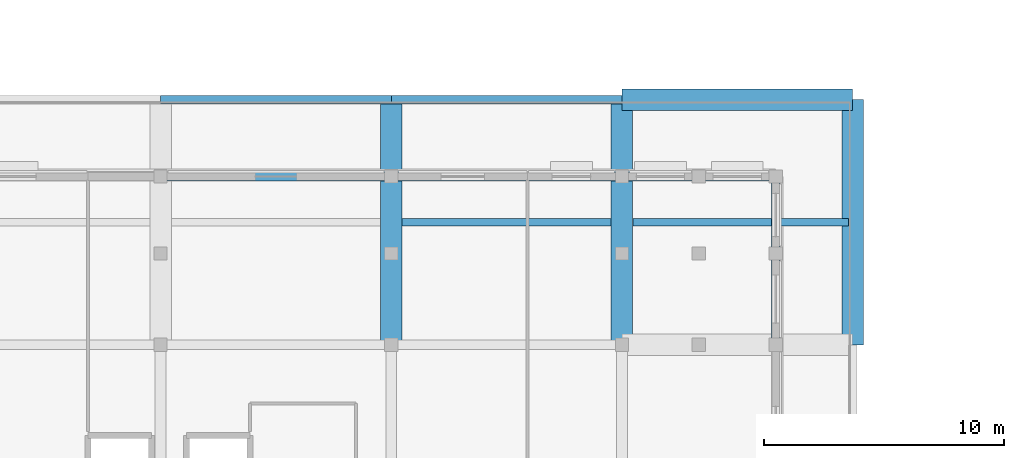
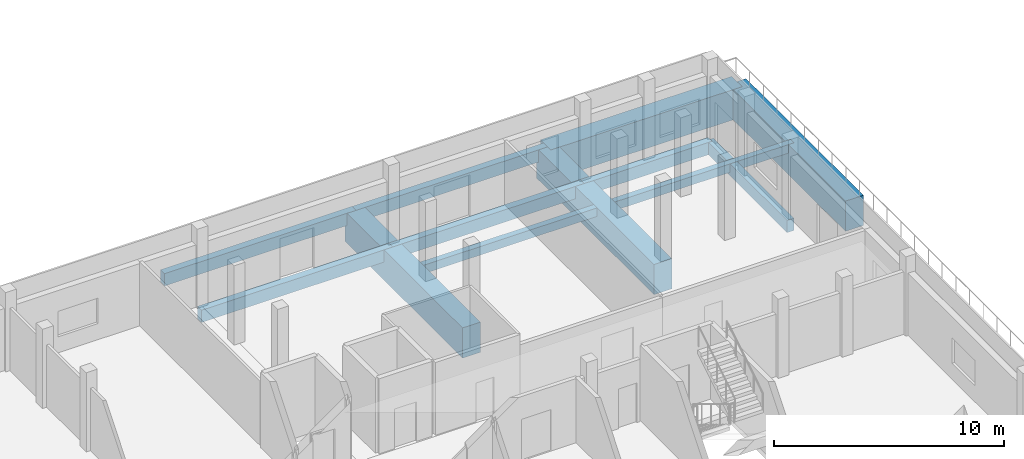
# One storey, part 2 of 70: 12 beams.
"""IFC4 building model written with IfcOpenShell, lengths in metres."""

import ifcopenshell
import ifcopenshell.guid

model = None  # the IFC model being written
_history = None  # IfcOwnerHistory: only IFC2X3 demands one
_inside = {}  # id of a spatial element -> (the spatial element, [elements in it])
_under = {}  # id of a project, library or spatial element -> (it, [spatial elements below it])
_declared = {}  # id of a project -> (the project, [libraries it declares])
_typed = {}  # id of a type object -> (the type object, [elements of that type])
_made_of = {}  # id of a material, layer set ... -> (it, [elements and type objects made of it])


def new_model(schema):
    """Start an empty IFC model of exactly this schema.

    Asked for "IFC4X3", IfcOpenShell would pick the latest addendum, in which some entities
    have other attributes; the version numbers below select the first issue.
    IFC2X3 requires an IfcOwnerHistory on every rooted entity: one is made here for all.
    """
    global model, _history
    if schema == "IFC4X3":
        model = ifcopenshell.file(schema_version=(4, 3, 0, 0))
    else:
        model = ifcopenshell.file(schema=schema)
    _inside.clear()
    _under.clear()
    _declared.clear()
    _typed.clear()
    _made_of.clear()
    _history = None
    if model.schema == "IFC2X3":
        org = make("IfcOrganization", Name="unknown")
        user = make(
            "IfcPersonAndOrganization",
            ThePerson=make("IfcPerson", FamilyName="unknown"),
            TheOrganization=org,
        )
        app = make(
            "IfcApplication",
            ApplicationDeveloper=org,
            Version="unknown",
            ApplicationFullName="unknown",
            ApplicationIdentifier="unknown",
        )
        _history = make(
            "IfcOwnerHistory",
            OwningUser=user,
            OwningApplication=app,
            ChangeAction="ADDED",
            CreationDate=0,
        )
    return model


def make(cls, **values):
    """One entity of the class cls with the attributes given. An attribute that is None is left unset."""
    return model.create_entity(
        cls, **{name: value for name, value in values.items() if value is not None}
    )


def rooted(cls, **values):
    """An entity with a GlobalId (a new one), such as an element, a storey or a relation."""
    return make(cls, GlobalId=ifcopenshell.guid.new(), OwnerHistory=_history, **values)


def si_unit(unit_type, name, prefix=None):
    """IfcSIUnit, for example si_unit("LENGTHUNIT", "METRE", prefix="MILLI")."""
    return make("IfcSIUnit", UnitType=unit_type, Prefix=prefix, Name=name)


def assignment(units):
    """IfcUnitAssignment: the units of a project."""
    return None if units is None else make("IfcUnitAssignment", Units=units)


def point(xyz):
    """IfcCartesianPoint."""
    return None if xyz is None else make("IfcCartesianPoint", Coordinates=xyz)


def direction(xyz):
    """IfcDirection."""
    return None if xyz is None else make("IfcDirection", DirectionRatios=xyz)


def frame(location, z_axis=None, x_axis=None):
    """IfcAxis2Placement3D, a coordinate frame: its origin and axes. An axis left out is left unset."""
    return make(
        "IfcAxis2Placement3D",
        Location=point(location),
        Axis=direction(z_axis),
        RefDirection=direction(x_axis),
    )


def frame_2d(location, x_axis=None):
    """IfcAxis2Placement2D, a coordinate frame in the plane: its origin and x axis."""
    return make(
        "IfcAxis2Placement2D", Location=point(location), RefDirection=direction(x_axis)
    )


def origin():
    """The frame at (0, 0, 0) with its axes left unset."""
    return frame((0.0, 0.0, 0.0))


def origin_2d():
    """The frame at (0, 0) in the plane with its x axis left unset."""
    return frame_2d((0.0, 0.0))


def place(relative_to, where):
    """IfcLocalPlacement: puts the frame where relative to a parent placement (None: the world)."""
    return make(
        "IfcLocalPlacement", PlacementRelTo=relative_to, RelativePlacement=where
    )


def context(
    kind, dimensions, precision=None, world=None, true_north=None, identifier=None
):
    """IfcGeometricRepresentationContext, for example the 3D "Model" context."""
    return make(
        "IfcGeometricRepresentationContext",
        ContextIdentifier=identifier,
        ContextType=kind,
        CoordinateSpaceDimension=dimensions,
        Precision=precision,
        WorldCoordinateSystem=world,
        TrueNorth=true_north,
    )


def subcontext(parent, identifier, kind, view, scale=None):
    """IfcGeometricRepresentationSubContext, for example "Body" below "Model"."""
    return make(
        "IfcGeometricRepresentationSubContext",
        ContextIdentifier=identifier,
        ContextType=kind,
        ParentContext=parent,
        TargetScale=scale,
        TargetView=view,
    )


def project(units=None, contexts=None):
    """IfcProject with its units and contexts."""
    return rooted(
        "IfcProject",
        Name="project",
        RepresentationContexts=contexts,
        UnitsInContext=assignment(units),
    )


def spatial(cls, under=None, at=None, **own):
    """A site, building, storey or space (cls), placed at a placement, below another one or the project."""
    s = rooted(cls, ObjectPlacement=at, **own)
    if under is not None:
        _under.setdefault(under.id(), (under, []))[1].append(s)
    return s


def profile(cls, at=None, kind="AREA", **sizes):
    """A parametric profile (cls). Its sizes go by their IFC names, for example OverallWidth=200.0."""
    return make(cls, ProfileType=kind, Position=at, **sizes)


def rectangle(**sizes):
    """IfcRectangleProfileDef."""
    return profile("IfcRectangleProfileDef", **sizes)


def extrude(swept, where, along, depth):
    """IfcExtrudedAreaSolid: the profile swept, set in the frame where, extruded along a direction by depth."""
    return make(
        "IfcExtrudedAreaSolid",
        SweptArea=swept,
        Position=where,
        ExtrudedDirection=direction(along),
        Depth=depth,
    )


def shape(context_of_items, identifier, shape_type, items):
    """IfcShapeRepresentation: the items that make up one representation, for example the "Body"."""
    return make(
        "IfcShapeRepresentation",
        ContextOfItems=context_of_items,
        RepresentationIdentifier=identifier,
        RepresentationType=shape_type,
        Items=items,
    )


def material(Name=None, Category=None):
    """IfcMaterial."""
    return make("IfcMaterial", Name=Name, Category=Category)


def material_profile(
    of_material, cross_section, Name=None, Category=None, Priority=None
):
    """IfcMaterialProfile: a cross section and its material."""
    return make(
        "IfcMaterialProfile",
        Name=Name,
        Material=of_material,
        Profile=cross_section,
        Priority=Priority,
        Category=Category,
    )


def profile_set(profiles, Name=None, composite=None):
    """IfcMaterialProfileSet."""
    return make(
        "IfcMaterialProfileSet",
        Name=Name,
        MaterialProfiles=profiles,
        CompositeProfile=composite,
    )


def made_of(thing, what):
    """Note that an element or type object is made of a material, layer set ...; save() writes the relation."""
    if what is not None:
        _made_of.setdefault(what.id(), (what, []))[1].append(thing)
    return thing


def type_object(cls, material=None, **own):
    """A type object (cls), such as IfcWallType, which elements share."""
    return made_of(rooted(cls, **own), material)


def element(
    cls,
    number,
    at=None,
    inside=None,
    cuts=None,
    type_object=None,
    material=None,
    context=None,
    identifier="Body",
    shape_type=None,
    held_by="IfcProductDefinitionShape",
    body=None,
    shapes=None,
    **own,
):
    """One element of the class cls, such as IfcWall. Its Tag is "e" and its number.

    at: its placement. inside: the storey or other place that contains it. cuts: it is an
    opening in that element (IfcRelVoidsElement). A single representation is given by context,
    identifier, shape_type and body (its items); several are given by shapes. held_by: the class
    of the entity that holds the representations. save() writes the other relations.
    """
    e = rooted(cls, Tag="e%d" % number, ObjectPlacement=at, **own)
    if body is not None:
        shapes = [shape(context, identifier, shape_type, body)]
    if shapes is not None:
        e.Representation = make(held_by, Representations=shapes)
    if inside is not None:
        _inside.setdefault(inside.id(), (inside, []))[1].append(e)
    if cuts is not None:
        rooted(
            "IfcRelVoidsElement", RelatingBuildingElement=cuts, RelatedOpeningElement=e
        )
    if type_object is not None:
        _typed.setdefault(type_object.id(), (type_object, []))[1].append(e)
    return made_of(e, material)


def aggregate(whole, parts):
    """IfcRelAggregates: a whole, such as a stair, and the parts it consists of."""
    return rooted("IfcRelAggregates", RelatingObject=whole, RelatedObjects=parts)


def save(model, path):
    """Write the relations noted so far, then the file.

    IfcRelAggregates (storeys below a building ...), IfcRelContainedInSpatialStructure (elements
    in a storey), IfcRelDefinesByType, IfcRelAssociatesMaterial and IfcRelDeclares: one each for
    every whole, place, type object, material and project.
    """
    for whole, parts in _under.values():
        aggregate(whole, parts)
    for where, things in _inside.values():
        rooted(
            "IfcRelContainedInSpatialStructure",
            RelatedElements=things,
            RelatingStructure=where,
        )
    for kind, things in _typed.values():
        rooted("IfcRelDefinesByType", RelatedObjects=things, RelatingType=kind)
    for what, things in _made_of.values():
        rooted("IfcRelAssociatesMaterial", RelatedObjects=things, RelatingMaterial=what)
    for by, libraries in _declared.values():
        rooted("IfcRelDeclares", RelatingContext=by, RelatedDefinitions=libraries)
    model.write(path)


model = new_model("IFC4")

# Units and contexts
model_context = context("Model", 3, precision=1e-05, world=origin(), true_north=direction((0.0, 1.0)))
body_context = subcontext(model_context, "Body", "Model", "MODEL_VIEW")
ifc_project = project(units=[si_unit("LENGTHUNIT", "METRE"), si_unit("AREAUNIT", "SQUARE_METRE"), si_unit("VOLUMEUNIT", "CUBIC_METRE"), si_unit("PLANEANGLEUNIT", "RADIAN"), si_unit("MASSUNIT", "GRAM", prefix="KILO")], contexts=[model_context])

# Site, building, storey
site_placement = place(None, origin())
site = spatial("IfcSite", under=ifc_project, at=site_placement, CompositionType="ELEMENT")
building_placement = place(site_placement, origin())
building = spatial("IfcBuilding", under=site, at=building_placement, Name="Vondelvale Polytechnic", CompositionType="ELEMENT")
storey_placement = place(building_placement, frame((0.0, 0.0, 22.199951171875)))
storey = spatial("IfcBuildingStorey", under=building, at=storey_placement, Name="L05", CompositionType="ELEMENT", Elevation=22.199951171875)

# Beams
ifc_material_1 = material(Name="Concrete N50 (f'c = 50 MPa)", Category="concrete")
ifc_material_profile_1 = material_profile(ifc_material_1, rectangle(XDim=0.89990234375, YDim=1.60009765625, at=origin_2d()), Name="RC-TG-900x1600")
ifc_profile_set_1 = profile_set([ifc_material_profile_1], Name="Concrete N50 (f'c = 50 MPa)")
beam_type_1 = type_object("IfcBeamType", Name="BM-TG1600", PredefinedType="BEAM", material=ifc_profile_set_1)
beam_1_placement = place(storey_placement, frame((38.39990234375, 40.800048828125, -1.050048828125), z_axis=(1.0, 0.0, 0.0), x_axis=(0.0, 1.0, 0.0)))
element("IfcBeam", 1, at=beam_1_placement, inside=storey, type_object=beam_type_1, Name="L05 reinforced concrete transfer girder TG-02", PredefinedType="BEAM", context=body_context, shape_type="SweptSolid", body=[
    extrude(rectangle(XDim=0.89990234375, YDim=1.60009765625, at=origin_2d()), origin(), (0.0, 0.0, 1.0), 9.60009765625),
])
for number, where, z_axis, x_axis, name in (
    (2, (28.800048828125, 30.60009765625, -1.050048828125), (0.0, 1.0, 0.0), (-1.0, 0.0, 0.0), "L05 reinforced concrete transfer girder TG-02"),
    (3, (38.39990234375, 30.60009765625, -1.050048828125), (0.0, 1.0, 0.0), (-1.0, 0.0, 0.0), "L05 reinforced concrete transfer girder TG-02"),
    (4, (48.0, 30.60009765625, -1.050048828125), (0.0, 1.0, 0.0), (-1.0, 0.0, 0.0), "L05 reinforced concrete transfer girder TG-02"),
):
    element("IfcBeam", number, at=place(storey_placement, frame(where, z_axis=z_axis, x_axis=x_axis)), inside=storey, type_object=beam_type_1, Name=name, PredefinedType="BEAM", context=body_context, shape_type="SweptSolid", body=[
        extrude(rectangle(XDim=0.89990234375, YDim=1.60009765625, at=origin_2d()), origin(), (0.0, 0.0, 1.0), 10.199951171875),
    ])
ifc_material_2 = material(Name="Concrete N40 (f'c = 40 MPa)", Category="concrete")
ifc_material_profile_2 = material_profile(ifc_material_2, rectangle(XDim=0.300048828125, YDim=0.449951171875, at=origin_2d()), Name="RC-JST-300x450")
ifc_profile_set_2 = profile_set([ifc_material_profile_2], Name="Concrete N40 (f'c = 40 MPa)")
beam_type_2 = type_object("IfcBeamType", Name="JST-RC300x450", PredefinedType="JOIST", material=ifc_profile_set_2)
beam_2_placement = place(storey_placement, frame((29.25, 35.699951171875, -0.474853515625), z_axis=(1.0, 0.0, 0.0), x_axis=(0.0, 1.0, 0.0)))
element("IfcBeam", 5, at=beam_2_placement, inside=storey, type_object=beam_type_2, Name="L05 J J-03", PredefinedType="JOIST", context=body_context, shape_type="SweptSolid", body=[
    extrude(rectangle(XDim=0.300048828125, YDim=0.449951171875, at=origin_2d()), origin(), (0.0, 0.0, 1.0), 8.699951171875),
])
beam_3_placement = place(storey_placement, frame((38.85009765625, 35.699951171875, -0.474853515625), z_axis=(1.0, 0.0, 0.0), x_axis=(0.0, 1.0, 0.0)))
element("IfcBeam", 6, at=beam_3_placement, inside=storey, type_object=beam_type_2, Name="L05 J J-03", PredefinedType="JOIST", context=body_context, shape_type="SweptSolid", body=[
    extrude(rectangle(XDim=0.300048828125, YDim=0.449951171875, at=origin_2d()), origin(), (0.0, 0.0, 1.0), 8.974853515625),
])
ifc_material_3 = material(Name="Precast concrete N40 (f'c = 40 MPa)", Category="concrete")
ifc_material_profile_3 = material_profile(ifc_material_3, rectangle(XDim=0.35009765625, YDim=0.64990234375, at=origin_2d()), Name="RC-SPN-350x650")
ifc_profile_set_3 = profile_set([ifc_material_profile_3], Name="Precast concrete N40 (f'c = 40 MPa)")
beam_type_3 = type_object("IfcBeamType", Name="SPN-PRE350x650", PredefinedType="SPANDREL", material=ifc_profile_set_3)
beam_4_placement = place(storey_placement, frame((19.199951171875, 40.800048828125, -0.574951171875), z_axis=(1.0, 0.0, 0.0), x_axis=(0.0, 1.0, 0.0)))
element("IfcBeam", 7, at=beam_4_placement, inside=storey, type_object=beam_type_3, Name="L05 B SP-02", PredefinedType="SPANDREL", context=body_context, shape_type="SweptSolid", body=[
    extrude(rectangle(XDim=0.35009765625, YDim=0.64990234375, at=origin_2d()), origin(), (0.0, 0.0, 1.0), 9.60009765625),
])
beam_5_placement = place(storey_placement, frame((28.800048828125, 40.800048828125, -0.574951171875), z_axis=(1.0, 0.0, 0.0), x_axis=(0.0, 1.0, 0.0)))
element("IfcBeam", 8, at=beam_5_placement, inside=storey, type_object=beam_type_3, Name="L05 B SP-02", PredefinedType="SPANDREL", context=body_context, shape_type="SweptSolid", body=[
    extrude(rectangle(XDim=0.35009765625, YDim=0.64990234375, at=origin_2d()), origin(), (0.0, 0.0, 1.0), 9.599853515625),
])
beam_6_placement = place(storey_placement, frame((44.800048828125, 30.60009765625, -0.574951171875), z_axis=(0.0, 1.0, 0.0), x_axis=(-1.0, 0.0, 0.0)))
element("IfcBeam", 9, at=beam_6_placement, inside=storey, type_object=beam_type_3, Name="L05 B SP-02", PredefinedType="SPANDREL", context=body_context, shape_type="SweptSolid", body=[
    extrude(rectangle(XDim=0.35009765625, YDim=0.64990234375, at=origin_2d()), origin(), (0.0, 0.0, 1.0), 7.0),
])
beam_7_placement = place(storey_placement, frame((19.199951171875, 37.60009765625, -0.574951171875), z_axis=(1.0, 0.0, 0.0), x_axis=(0.0, 1.0, 0.0)))
element("IfcBeam", 10, at=beam_7_placement, inside=storey, type_object=beam_type_3, Name="L05 B SP-02", PredefinedType="SPANDREL", context=body_context, shape_type="SweptSolid", body=[
    extrude(rectangle(XDim=0.35009765625, YDim=0.64990234375, at=origin_2d()), origin(), (0.0, 0.0, 1.0), 9.60009765625),
])
beam_8_placement = place(storey_placement, frame((28.800048828125, 37.60009765625, -0.574951171875), z_axis=(1.0, 0.0, 0.0), x_axis=(0.0, 1.0, 0.0)))
element("IfcBeam", 11, at=beam_8_placement, inside=storey, type_object=beam_type_3, Name="L05 B SP-02", PredefinedType="SPANDREL", context=body_context, shape_type="SweptSolid", body=[
    extrude(rectangle(XDim=0.35009765625, YDim=0.64990234375, at=origin_2d()), origin(), (0.0, 0.0, 1.0), 9.599853515625),
])
beam_9_placement = place(storey_placement, frame((38.39990234375, 37.60009765625, -0.574951171875), z_axis=(1.0, 0.0, 0.0), x_axis=(0.0, 1.0, 0.0)))
element("IfcBeam", 12, at=beam_9_placement, inside=storey, type_object=beam_type_3, Name="L05 B SP-02", PredefinedType="SPANDREL", context=body_context, shape_type="SweptSolid", body=[
    extrude(rectangle(XDim=0.35009765625, YDim=0.64990234375, at=origin_2d()), origin(), (0.0, 0.0, 1.0), 6.400146484375),
])

save(model, "model.ifc")
